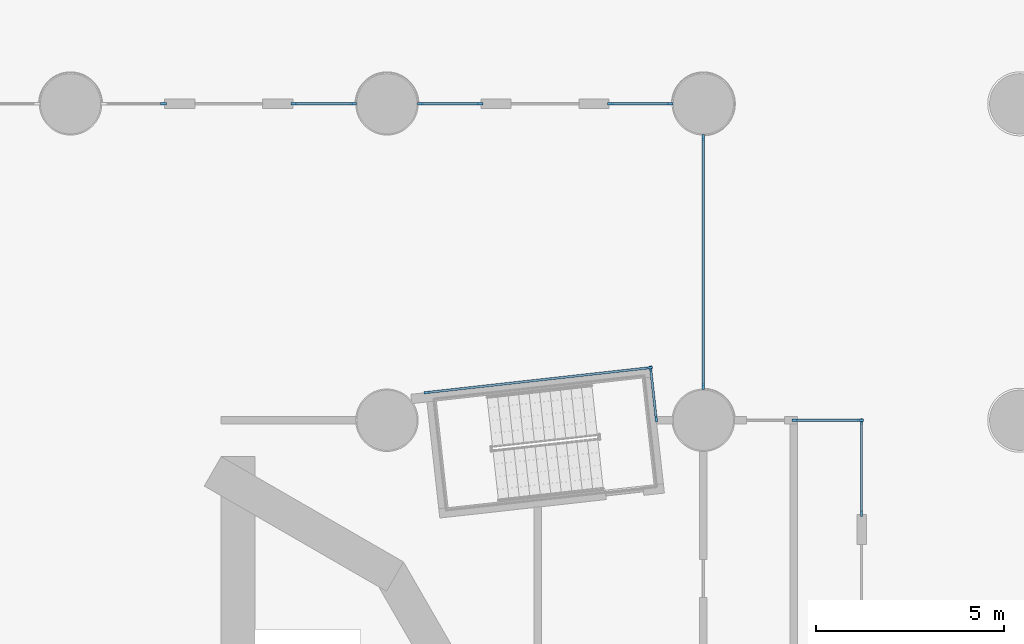
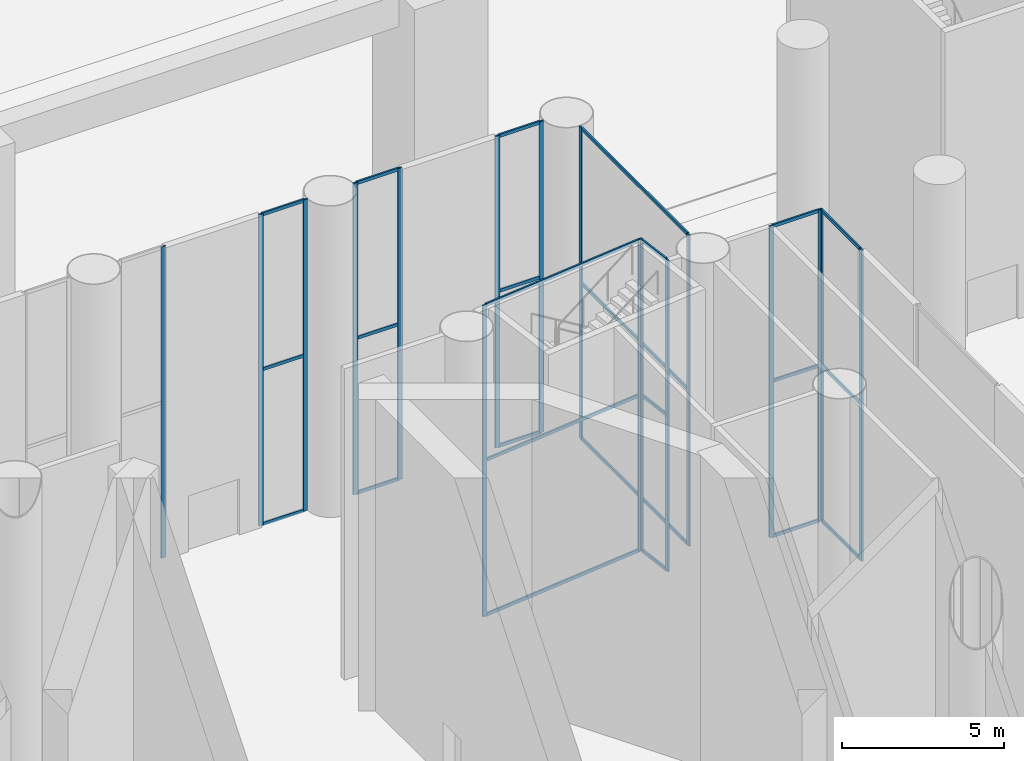
# One storey, part 9 of 52: 41 members, 9 elements without a shape of their own.
"""IFC4 building model written with IfcOpenShell, lengths in metres."""

import ifcopenshell
import ifcopenshell.guid

model = None  # the IFC model being written
_history = None  # IfcOwnerHistory: only IFC2X3 demands one
_inside = {}  # id of a spatial element -> (the spatial element, [elements in it])
_under = {}  # id of a project, library or spatial element -> (it, [spatial elements below it])
_declared = {}  # id of a project -> (the project, [libraries it declares])
_typed = {}  # id of a type object -> (the type object, [elements of that type])
_made_of = {}  # id of a material, layer set ... -> (it, [elements and type objects made of it])


def new_model(schema):
    """Start an empty IFC model of exactly this schema.

    Asked for "IFC4X3", IfcOpenShell would pick the latest addendum, in which some entities
    have other attributes; the version numbers below select the first issue.
    IFC2X3 requires an IfcOwnerHistory on every rooted entity: one is made here for all.
    """
    global model, _history
    if schema == "IFC4X3":
        model = ifcopenshell.file(schema_version=(4, 3, 0, 0))
    else:
        model = ifcopenshell.file(schema=schema)
    _inside.clear()
    _under.clear()
    _declared.clear()
    _typed.clear()
    _made_of.clear()
    _history = None
    if model.schema == "IFC2X3":
        org = make("IfcOrganization", Name="unknown")
        user = make(
            "IfcPersonAndOrganization",
            ThePerson=make("IfcPerson", FamilyName="unknown"),
            TheOrganization=org,
        )
        app = make(
            "IfcApplication",
            ApplicationDeveloper=org,
            Version="unknown",
            ApplicationFullName="unknown",
            ApplicationIdentifier="unknown",
        )
        _history = make(
            "IfcOwnerHistory",
            OwningUser=user,
            OwningApplication=app,
            ChangeAction="ADDED",
            CreationDate=0,
        )
    return model


def make(cls, **values):
    """One entity of the class cls with the attributes given. An attribute that is None is left unset."""
    return model.create_entity(
        cls, **{name: value for name, value in values.items() if value is not None}
    )


def rooted(cls, **values):
    """An entity with a GlobalId (a new one), such as an element, a storey or a relation."""
    return make(cls, GlobalId=ifcopenshell.guid.new(), OwnerHistory=_history, **values)


def si_unit(unit_type, name, prefix=None):
    """IfcSIUnit, for example si_unit("LENGTHUNIT", "METRE", prefix="MILLI")."""
    return make("IfcSIUnit", UnitType=unit_type, Prefix=prefix, Name=name)


def assignment(units):
    """IfcUnitAssignment: the units of a project."""
    return None if units is None else make("IfcUnitAssignment", Units=units)


def point(xyz):
    """IfcCartesianPoint."""
    return None if xyz is None else make("IfcCartesianPoint", Coordinates=xyz)


def direction(xyz):
    """IfcDirection."""
    return None if xyz is None else make("IfcDirection", DirectionRatios=xyz)


def frame(location, z_axis=None, x_axis=None):
    """IfcAxis2Placement3D, a coordinate frame: its origin and axes. An axis left out is left unset."""
    return make(
        "IfcAxis2Placement3D",
        Location=point(location),
        Axis=direction(z_axis),
        RefDirection=direction(x_axis),
    )


def frame_2d(location, x_axis=None):
    """IfcAxis2Placement2D, a coordinate frame in the plane: its origin and x axis."""
    return make(
        "IfcAxis2Placement2D", Location=point(location), RefDirection=direction(x_axis)
    )


def origin():
    """The frame at (0, 0, 0) with its axes left unset."""
    return frame((0.0, 0.0, 0.0))


def origin_2d():
    """The frame at (0, 0) in the plane with its x axis left unset."""
    return frame_2d((0.0, 0.0))


def place(relative_to, where):
    """IfcLocalPlacement: puts the frame where relative to a parent placement (None: the world)."""
    return make(
        "IfcLocalPlacement", PlacementRelTo=relative_to, RelativePlacement=where
    )


def context(
    kind, dimensions, precision=None, world=None, true_north=None, identifier=None
):
    """IfcGeometricRepresentationContext, for example the 3D "Model" context."""
    return make(
        "IfcGeometricRepresentationContext",
        ContextIdentifier=identifier,
        ContextType=kind,
        CoordinateSpaceDimension=dimensions,
        Precision=precision,
        WorldCoordinateSystem=world,
        TrueNorth=true_north,
    )


def subcontext(parent, identifier, kind, view, scale=None):
    """IfcGeometricRepresentationSubContext, for example "Body" below "Model"."""
    return make(
        "IfcGeometricRepresentationSubContext",
        ContextIdentifier=identifier,
        ContextType=kind,
        ParentContext=parent,
        TargetScale=scale,
        TargetView=view,
    )


def project(units=None, contexts=None):
    """IfcProject with its units and contexts."""
    return rooted(
        "IfcProject",
        Name="project",
        RepresentationContexts=contexts,
        UnitsInContext=assignment(units),
    )


def spatial(cls, under=None, at=None, **own):
    """A site, building, storey or space (cls), placed at a placement, below another one or the project."""
    s = rooted(cls, ObjectPlacement=at, **own)
    if under is not None:
        _under.setdefault(under.id(), (under, []))[1].append(s)
    return s


def profile(cls, at=None, kind="AREA", **sizes):
    """A parametric profile (cls). Its sizes go by their IFC names, for example OverallWidth=200.0."""
    return make(cls, ProfileType=kind, Position=at, **sizes)


def rectangle(**sizes):
    """IfcRectangleProfileDef."""
    return profile("IfcRectangleProfileDef", **sizes)


def extrude(swept, where, along, depth):
    """IfcExtrudedAreaSolid: the profile swept, set in the frame where, extruded along a direction by depth."""
    return make(
        "IfcExtrudedAreaSolid",
        SweptArea=swept,
        Position=where,
        ExtrudedDirection=direction(along),
        Depth=depth,
    )


def shape(context_of_items, identifier, shape_type, items):
    """IfcShapeRepresentation: the items that make up one representation, for example the "Body"."""
    return make(
        "IfcShapeRepresentation",
        ContextOfItems=context_of_items,
        RepresentationIdentifier=identifier,
        RepresentationType=shape_type,
        Items=items,
    )


def material(Name=None, Category=None):
    """IfcMaterial."""
    return make("IfcMaterial", Name=Name, Category=Category)


def material_profile(
    of_material, cross_section, Name=None, Category=None, Priority=None
):
    """IfcMaterialProfile: a cross section and its material."""
    return make(
        "IfcMaterialProfile",
        Name=Name,
        Material=of_material,
        Profile=cross_section,
        Priority=Priority,
        Category=Category,
    )


def profile_set(profiles, Name=None, composite=None):
    """IfcMaterialProfileSet."""
    return make(
        "IfcMaterialProfileSet",
        Name=Name,
        MaterialProfiles=profiles,
        CompositeProfile=composite,
    )


def made_of(thing, what):
    """Note that an element or type object is made of a material, layer set ...; save() writes the relation."""
    if what is not None:
        _made_of.setdefault(what.id(), (what, []))[1].append(thing)
    return thing


def type_object(cls, material=None, **own):
    """A type object (cls), such as IfcWallType, which elements share."""
    return made_of(rooted(cls, **own), material)


def element(
    cls,
    number,
    at=None,
    inside=None,
    cuts=None,
    type_object=None,
    material=None,
    context=None,
    identifier="Body",
    shape_type=None,
    held_by="IfcProductDefinitionShape",
    body=None,
    shapes=None,
    **own,
):
    """One element of the class cls, such as IfcWall. Its Tag is "e" and its number.

    at: its placement. inside: the storey or other place that contains it. cuts: it is an
    opening in that element (IfcRelVoidsElement). A single representation is given by context,
    identifier, shape_type and body (its items); several are given by shapes. held_by: the class
    of the entity that holds the representations. save() writes the other relations.
    """
    e = rooted(cls, Tag="e%d" % number, ObjectPlacement=at, **own)
    if body is not None:
        shapes = [shape(context, identifier, shape_type, body)]
    if shapes is not None:
        e.Representation = make(held_by, Representations=shapes)
    if inside is not None:
        _inside.setdefault(inside.id(), (inside, []))[1].append(e)
    if cuts is not None:
        rooted(
            "IfcRelVoidsElement", RelatingBuildingElement=cuts, RelatedOpeningElement=e
        )
    if type_object is not None:
        _typed.setdefault(type_object.id(), (type_object, []))[1].append(e)
    return made_of(e, material)


def aggregate(whole, parts):
    """IfcRelAggregates: a whole, such as a stair, and the parts it consists of."""
    return rooted("IfcRelAggregates", RelatingObject=whole, RelatedObjects=parts)


def save(model, path):
    """Write the relations noted so far, then the file.

    IfcRelAggregates (storeys below a building ...), IfcRelContainedInSpatialStructure (elements
    in a storey), IfcRelDefinesByType, IfcRelAssociatesMaterial and IfcRelDeclares: one each for
    every whole, place, type object, material and project.
    """
    for whole, parts in _under.values():
        aggregate(whole, parts)
    for where, things in _inside.values():
        rooted(
            "IfcRelContainedInSpatialStructure",
            RelatedElements=things,
            RelatingStructure=where,
        )
    for kind, things in _typed.values():
        rooted("IfcRelDefinesByType", RelatedObjects=things, RelatingType=kind)
    for what, things in _made_of.values():
        rooted("IfcRelAssociatesMaterial", RelatedObjects=things, RelatingMaterial=what)
    for by, libraries in _declared.values():
        rooted("IfcRelDeclares", RelatingContext=by, RelatedDefinitions=libraries)
    model.write(path)


model = new_model("IFC4")

# Units and contexts
model_context = context("Model", 3, precision=1e-05, world=origin(), true_north=direction((0.0, 1.0)))
body_context = subcontext(model_context, "Body", "Model", "MODEL_VIEW")
ifc_project = project(units=[si_unit("LENGTHUNIT", "METRE"), si_unit("AREAUNIT", "SQUARE_METRE"), si_unit("VOLUMEUNIT", "CUBIC_METRE"), si_unit("PLANEANGLEUNIT", "RADIAN"), si_unit("MASSUNIT", "GRAM", prefix="KILO")], contexts=[model_context])

# Site, building, storey
site_placement = place(None, origin())
site = spatial("IfcSite", under=ifc_project, at=site_placement, CompositionType="ELEMENT")
building_placement = place(site_placement, origin())
building = spatial("IfcBuilding", under=site, at=building_placement, Name="Cantera Rosa Tower", CompositionType="ELEMENT")
storey_placement = place(building_placement, origin())
storey = spatial("IfcBuildingStorey", under=building, at=storey_placement, Name="L00", CompositionType="ELEMENT", Elevation=0.0)

# Curtain wall, members
ifc_material_1 = material(Name="Glass", Category="glass")
curtain_wall_type = type_object("IfcCurtainWallType", Name="Pavilion curtain wall", PredefinedType="NOTDEFINED", material=ifc_material_1)
curtain_wall_1_placement = place(storey_placement, origin())
curtain_wall_1 = element("IfcCurtainWall", 1, at=curtain_wall_1_placement, inside=storey, type_object=curtain_wall_type, Name="Pavilion curtain wall CAFE 1", PredefinedType="NOTDEFINED")
ifc_material_2 = material(Name="Aluminium", Category="aluminium")
ifc_material_profile_1 = material_profile(ifc_material_2, rectangle(XDim=0.06005859375, YDim=0.159912109375, at=origin_2d()), Name="Mullion pavilion 60x160")
ifc_profile_set_1 = profile_set([ifc_material_profile_1], Name="Aluminium")
member_type_1 = type_object("IfcMemberType", Name="Mullion pavilion 60x160", PredefinedType="MULLION", material=ifc_profile_set_1)
member_1_placement = place(storey_placement, frame((21.0, 10.1298828125, 0.0), z_axis=(0.0, 0.0, 1.0), x_axis=(-1.0, 0.0, 0.0)))
member_1 = element("IfcMember", 2, at=member_1_placement, type_object=member_type_1, Name="CW6 mullion 1", PredefinedType="MULLION", context=body_context, shape_type="SweptSolid", body=[
    extrude(rectangle(XDim=0.06005859375, YDim=0.159912109375, at=origin_2d()), origin(), (0.0, 0.0, 1.0), 11.699951171875),
])
member_2_placement = place(storey_placement, frame((21.0, 12.570068359375, 0.0), z_axis=(0.0, 0.0, 1.0), x_axis=(-1.0, 0.0, 0.0)))
member_2 = element("IfcMember", 3, at=member_2_placement, type_object=member_type_1, Name="CW6 mullion 2", PredefinedType="MULLION", context=body_context, shape_type="SweptSolid", body=[
    extrude(rectangle(XDim=0.06005859375, YDim=0.159912109375, at=origin_2d()), origin(), (0.0, 0.0, 1.0), 11.699951171875),
])

curtain_wall_2_placement = place(storey_placement, origin())
curtain_wall_2 = element("IfcCurtainWall", 4, at=curtain_wall_2_placement, inside=storey, type_object=curtain_wall_type, Name="Pavilion curtain wall CAFE 2", PredefinedType="NOTDEFINED")
member_3_placement = place(storey_placement, frame((20.969970703125, 12.60009765625, 0.0), z_axis=(0.0, 0.0, 1.0), x_axis=(0.0, -1.0, 0.0)))
member_3 = element("IfcMember", 5, at=member_3_placement, type_object=member_type_1, Name="CW6 mullion 1", PredefinedType="MULLION", context=body_context, shape_type="SweptSolid", body=[
    extrude(rectangle(XDim=0.06005859375, YDim=0.159912109375, at=origin_2d()), origin(), (0.0, 0.0, 1.0), 11.699951171875),
])
member_4_placement = place(storey_placement, frame((19.22998046875, 12.60009765625, 0.0), z_axis=(0.0, 0.0, 1.0), x_axis=(0.0, -1.0, 0.0)))
member_4 = element("IfcMember", 6, at=member_4_placement, type_object=member_type_1, Name="CW6 mullion 2", PredefinedType="MULLION", context=body_context, shape_type="SweptSolid", body=[
    extrude(rectangle(XDim=0.06005859375, YDim=0.159912109375, at=origin_2d()), origin(), (0.0, 0.0, 1.0), 11.699951171875),
])

# Curtain wall, member
curtain_wall_3_placement = place(storey_placement, origin())
curtain_wall_3 = element("IfcCurtainWall", 7, at=curtain_wall_3_placement, inside=storey, type_object=curtain_wall_type, Name="Pavilion curtain wall HOTEL 3", PredefinedType="NOTDEFINED")
member_5_placement = place(storey_placement, frame((2.469970703125, 21.0, 0.0), z_axis=(0.0, 0.0, 1.0), x_axis=(0.0, 1.0, 0.0)))
member_5 = element("IfcMember", 8, at=member_5_placement, type_object=member_type_1, Name="CW6 mullion 2", PredefinedType="MULLION", context=body_context, shape_type="SweptSolid", body=[
    extrude(rectangle(XDim=0.06005859375, YDim=0.159912109375, at=origin_2d()), origin(), (0.0, 0.0, 1.0), 11.699951171875),
])
aggregate(curtain_wall_3, [member_5])

# Curtain wall, members
curtain_wall_4_placement = place(storey_placement, origin())
curtain_wall_4 = element("IfcCurtainWall", 9, at=curtain_wall_4_placement, inside=storey, type_object=curtain_wall_type, Name="Pavilion curtain wall HOTEL 3", PredefinedType="NOTDEFINED")
member_6_placement = place(storey_placement, frame((5.929931640625, 21.0, 0.0), z_axis=(0.0, 0.0, 1.0), x_axis=(0.0, 1.0, 0.0)))
member_6 = element("IfcMember", 10, at=member_6_placement, type_object=member_type_1, Name="CW6 mullion 1", PredefinedType="MULLION", context=body_context, shape_type="SweptSolid", body=[
    extrude(rectangle(XDim=0.06005859375, YDim=0.159912109375, at=origin_2d()), origin(), (0.0, 0.0, 1.0), 11.699951171875),
])
member_7_placement = place(storey_placement, frame((7.510009765625, 21.0, 0.0), z_axis=(0.0, 0.0, 1.0), x_axis=(0.0, 1.0, 0.0)))
member_7 = element("IfcMember", 11, at=member_7_placement, type_object=member_type_1, Name="CW6 mullion 2", PredefinedType="MULLION", context=body_context, shape_type="SweptSolid", body=[
    extrude(rectangle(XDim=0.06005859375, YDim=0.159912109375, at=origin_2d()), origin(), (0.0, 0.0, 1.0), 11.699951171875),
])

curtain_wall_5_placement = place(storey_placement, origin())
curtain_wall_5 = element("IfcCurtainWall", 12, at=curtain_wall_5_placement, inside=storey, type_object=curtain_wall_type, Name="Pavilion curtain wall HOTEL 3", PredefinedType="NOTDEFINED")
member_8_placement = place(storey_placement, frame((9.2900390625, 21.0, 0.0), z_axis=(0.0, 0.0, 1.0), x_axis=(0.0, 1.0, 0.0)))
member_8 = element("IfcMember", 13, at=member_8_placement, type_object=member_type_1, Name="CW6 mullion 1", PredefinedType="MULLION", context=body_context, shape_type="SweptSolid", body=[
    extrude(rectangle(XDim=0.06005859375, YDim=0.159912109375, at=origin_2d()), origin(), (0.0, 0.0, 1.0), 11.699951171875),
])
member_9_placement = place(storey_placement, frame((10.8701171875, 21.0, 0.0), z_axis=(0.0, 0.0, 1.0), x_axis=(0.0, 1.0, 0.0)))
member_9 = element("IfcMember", 14, at=member_9_placement, type_object=member_type_1, Name="CW6 mullion 2", PredefinedType="MULLION", context=body_context, shape_type="SweptSolid", body=[
    extrude(rectangle(XDim=0.06005859375, YDim=0.159912109375, at=origin_2d()), origin(), (0.0, 0.0, 1.0), 11.699951171875),
])

curtain_wall_6_placement = place(storey_placement, origin())
curtain_wall_6 = element("IfcCurtainWall", 15, at=curtain_wall_6_placement, inside=storey, type_object=curtain_wall_type, Name="Pavilion curtain wall HOTEL 3", PredefinedType="NOTDEFINED")
member_10_placement = place(storey_placement, frame((14.330078125, 21.0, 0.0), z_axis=(0.0, 0.0, 1.0), x_axis=(0.0, 1.0, 0.0)))
member_10 = element("IfcMember", 16, at=member_10_placement, type_object=member_type_1, Name="CW6 mullion 1", PredefinedType="MULLION", context=body_context, shape_type="SweptSolid", body=[
    extrude(rectangle(XDim=0.06005859375, YDim=0.159912109375, at=origin_2d()), origin(), (0.0, 0.0, 1.0), 11.699951171875),
])
member_11_placement = place(storey_placement, frame((15.909912109375, 21.0, 0.0), z_axis=(0.0, 0.0, 1.0), x_axis=(0.0, 1.0, 0.0)))
member_11 = element("IfcMember", 17, at=member_11_placement, type_object=member_type_1, Name="CW6 mullion 2", PredefinedType="MULLION", context=body_context, shape_type="SweptSolid", body=[
    extrude(rectangle(XDim=0.06005859375, YDim=0.159912109375, at=origin_2d()), origin(), (0.0, 0.0, 1.0), 11.699951171875),
])

curtain_wall_7_placement = place(storey_placement, origin())
curtain_wall_7 = element("IfcCurtainWall", 18, at=curtain_wall_7_placement, inside=storey, type_object=curtain_wall_type, Name="Pavilion curtain wall HOTEL 4", PredefinedType="NOTDEFINED")
member_12_placement = place(storey_placement, frame((16.800048828125, 20.110107421875, 0.0), z_axis=(0.0, 0.0, 1.0), x_axis=(1.0, 0.0, 0.0)))
member_12 = element("IfcMember", 19, at=member_12_placement, type_object=member_type_1, Name="CW6 mullion 1", PredefinedType="MULLION", context=body_context, shape_type="SweptSolid", body=[
    extrude(rectangle(XDim=0.06005859375, YDim=0.159912109375, at=origin_2d()), origin(), (0.0, 0.0, 1.0), 11.699951171875),
])
member_13_placement = place(storey_placement, frame((16.800048828125, 13.489990234375, 0.0), z_axis=(0.0, 0.0, 1.0), x_axis=(1.0, 0.0, 0.0)))
member_13 = element("IfcMember", 20, at=member_13_placement, type_object=member_type_1, Name="CW6 mullion 2", PredefinedType="MULLION", context=body_context, shape_type="SweptSolid", body=[
    extrude(rectangle(XDim=0.06005859375, YDim=0.159912109375, at=origin_2d()), origin(), (0.0, 0.0, 1.0), 11.699951171875),
])

curtain_wall_8_placement = place(storey_placement, origin())
curtain_wall_8 = element("IfcCurtainWall", 21, at=curtain_wall_8_placement, inside=storey, type_object=curtain_wall_type, Name="Pavilion curtain wall HOTEL 5", PredefinedType="NOTDEFINED")
member_14_placement = place(storey_placement, frame((15.548583984375, 12.6298828125, 0.0), z_axis=(0.0, 0.0, 1.0), x_axis=(-0.993896755156, -0.110314278719, 0.0)))
member_14 = element("IfcMember", 22, at=member_14_placement, type_object=member_type_1, Name="CW6 mullion 1", PredefinedType="MULLION", context=body_context, shape_type="SweptSolid", body=[
    extrude(rectangle(XDim=0.06005859375, YDim=0.159912109375, at=origin_2d()), origin(), (0.0, 0.0, 1.0), 11.699951171875),
])
member_15_placement = place(storey_placement, frame((15.400146484375, 13.9658203125, 0.0), z_axis=(0.0, 0.0, 1.0), x_axis=(-0.993896755156, -0.110314278719, 0.0)))
member_15 = element("IfcMember", 23, at=member_15_placement, type_object=member_type_1, Name="CW6 mullion 2", PredefinedType="MULLION", context=body_context, shape_type="SweptSolid", body=[
    extrude(rectangle(XDim=0.06005859375, YDim=0.159912109375, at=origin_2d()), origin(), (0.0, 0.0, 1.0), 11.699951171875),
])

curtain_wall_9_placement = place(storey_placement, origin())
curtain_wall_9 = element("IfcCurtainWall", 24, at=curtain_wall_9_placement, inside=storey, type_object=curtain_wall_type, Name="Pavilion curtain wall HOTEL 6", PredefinedType="NOTDEFINED")
member_16_placement = place(storey_placement, frame((15.3671875, 13.992431640625, 0.0), z_axis=(0.0, 0.0, 1.0), x_axis=(0.110316281838, -0.993896532825, 0.0)))
member_16 = element("IfcMember", 25, at=member_16_placement, type_object=member_type_1, Name="CW6 mullion 1", PredefinedType="MULLION", context=body_context, shape_type="SweptSolid", body=[
    extrude(rectangle(XDim=0.06005859375, YDim=0.159912109375, at=origin_2d()), origin(), (0.0, 0.0, 1.0), 11.699951171875),
])
member_17_placement = place(storey_placement, frame((9.46337890625, 13.337158203125, 0.0), z_axis=(0.0, 0.0, 1.0), x_axis=(0.110316281838, -0.993896532825, 0.0)))
member_17 = element("IfcMember", 26, at=member_17_placement, type_object=member_type_1, Name="CW6 mullion 2", PredefinedType="MULLION", context=body_context, shape_type="SweptSolid", body=[
    extrude(rectangle(XDim=0.06005859375, YDim=0.159912109375, at=origin_2d()), origin(), (0.0, 0.0, 1.0), 11.699951171875),
])

# Member
ifc_material_3 = material(Name="Aluminium", Category="aluminium")
ifc_material_profile_2 = material_profile(ifc_material_3, rectangle(XDim=0.06005859375, YDim=0.1201171875, at=origin_2d()), Name="Transom pavilion 60x120")
ifc_profile_set_2 = profile_set([ifc_material_profile_2], Name="Aluminium")
member_type_2 = type_object("IfcMemberType", Name="Transom pavilion 60x120", PredefinedType="USERDEFINED", material=ifc_profile_set_2)
member_18_placement = place(storey_placement, frame((21.0, 10.159912109375, 0.030029296875), z_axis=(0.0, 1.0, 0.0), x_axis=(-1.0, 0.0, 0.0)))
member_18 = element("IfcMember", 27, at=member_18_placement, type_object=member_type_2, Name="CW6 transom 1.1", ObjectType="TRANSOM", PredefinedType="USERDEFINED", context=body_context, shape_type="SweptSolid", body=[
    extrude(rectangle(XDim=0.06005859375, YDim=0.1201171875, at=origin_2d()), origin(), (0.0, 0.0, 1.0), 2.380126953125),
])

member_19_placement = place(storey_placement, frame((21.0, 10.159912109375, 5.85009765625), z_axis=(0.0, 1.0, 0.0), x_axis=(-1.0, 0.0, 0.0)))
member_19 = element("IfcMember", 28, at=member_19_placement, type_object=member_type_2, Name="CW6 transom 1.2", ObjectType="TRANSOM", PredefinedType="USERDEFINED", context=body_context, shape_type="SweptSolid", body=[
    extrude(rectangle(XDim=0.06005859375, YDim=0.1201171875, at=origin_2d()), origin(), (0.0, 0.0, 1.0), 2.380126953125),
])

member_20_placement = place(storey_placement, frame((21.0, 10.159912109375, 11.669921875), z_axis=(0.0, 1.0, 0.0), x_axis=(-1.0, 0.0, 0.0)))
member_20 = element("IfcMember", 29, at=member_20_placement, type_object=member_type_2, Name="CW6 transom 1.3", ObjectType="TRANSOM", PredefinedType="USERDEFINED", context=body_context, shape_type="SweptSolid", body=[
    extrude(rectangle(XDim=0.06005859375, YDim=0.1201171875, at=origin_2d()), origin(), (0.0, 0.0, 1.0), 2.380126953125),
])

aggregate(curtain_wall_1, [member_1, member_2, member_18, member_19, member_20])

member_21_placement = place(storey_placement, frame((20.93994140625, 12.60009765625, 0.030029296875), z_axis=(-1.0, 0.0, 0.0), x_axis=(0.0, -1.0, 0.0)))
member_21 = element("IfcMember", 30, at=member_21_placement, type_object=member_type_2, Name="CW6 transom 1.1", ObjectType="TRANSOM", PredefinedType="USERDEFINED", context=body_context, shape_type="SweptSolid", body=[
    extrude(rectangle(XDim=0.06005859375, YDim=0.1201171875, at=origin_2d()), origin(), (0.0, 0.0, 1.0), 1.679931640625),
])

member_22_placement = place(storey_placement, frame((20.93994140625, 12.60009765625, 5.85009765625), z_axis=(-1.0, 0.0, 0.0), x_axis=(0.0, -1.0, 0.0)))
member_22 = element("IfcMember", 31, at=member_22_placement, type_object=member_type_2, Name="CW6 transom 1.2", ObjectType="TRANSOM", PredefinedType="USERDEFINED", context=body_context, shape_type="SweptSolid", body=[
    extrude(rectangle(XDim=0.06005859375, YDim=0.1201171875, at=origin_2d()), origin(), (0.0, 0.0, 1.0), 1.679931640625),
])

member_23_placement = place(storey_placement, frame((20.93994140625, 12.60009765625, 11.669921875), z_axis=(-1.0, 0.0, 0.0), x_axis=(0.0, -1.0, 0.0)))
member_23 = element("IfcMember", 32, at=member_23_placement, type_object=member_type_2, Name="CW6 transom 1.3", ObjectType="TRANSOM", PredefinedType="USERDEFINED", context=body_context, shape_type="SweptSolid", body=[
    extrude(rectangle(XDim=0.06005859375, YDim=0.1201171875, at=origin_2d()), origin(), (0.0, 0.0, 1.0), 1.679931640625),
])

aggregate(curtain_wall_2, [member_3, member_4, member_21, member_22, member_23])

member_24_placement = place(storey_placement, frame((5.9599609375, 21.0, 0.030029296875), z_axis=(1.0, 0.0, 0.0), x_axis=(0.0, 1.0, 0.0)))
member_24 = element("IfcMember", 33, at=member_24_placement, type_object=member_type_2, Name="CW6 transom 1.1", ObjectType="TRANSOM", PredefinedType="USERDEFINED", context=body_context, shape_type="SweptSolid", body=[
    extrude(rectangle(XDim=0.06005859375, YDim=0.1201171875, at=origin_2d()), origin(), (0.0, 0.0, 1.0), 1.52001953125),
])

member_25_placement = place(storey_placement, frame((5.9599609375, 21.0, 5.85009765625), z_axis=(1.0, 0.0, 0.0), x_axis=(0.0, 1.0, 0.0)))
member_25 = element("IfcMember", 34, at=member_25_placement, type_object=member_type_2, Name="CW6 transom 1.2", ObjectType="TRANSOM", PredefinedType="USERDEFINED", context=body_context, shape_type="SweptSolid", body=[
    extrude(rectangle(XDim=0.06005859375, YDim=0.1201171875, at=origin_2d()), origin(), (0.0, 0.0, 1.0), 1.52001953125),
])

member_26_placement = place(storey_placement, frame((5.9599609375, 21.0, 11.669921875), z_axis=(1.0, 0.0, 0.0), x_axis=(0.0, 1.0, 0.0)))
member_26 = element("IfcMember", 35, at=member_26_placement, type_object=member_type_2, Name="CW6 transom 1.3", ObjectType="TRANSOM", PredefinedType="USERDEFINED", context=body_context, shape_type="SweptSolid", body=[
    extrude(rectangle(XDim=0.06005859375, YDim=0.1201171875, at=origin_2d()), origin(), (0.0, 0.0, 1.0), 1.52001953125),
])

aggregate(curtain_wall_4, [member_6, member_7, member_24, member_25, member_26])

member_27_placement = place(storey_placement, frame((9.320068359375, 21.0, 0.030029296875), z_axis=(1.0, 0.0, 0.0), x_axis=(0.0, 1.0, 0.0)))
member_27 = element("IfcMember", 36, at=member_27_placement, type_object=member_type_2, Name="CW6 transom 1.1", ObjectType="TRANSOM", PredefinedType="USERDEFINED", context=body_context, shape_type="SweptSolid", body=[
    extrude(rectangle(XDim=0.06005859375, YDim=0.1201171875, at=origin_2d()), origin(), (0.0, 0.0, 1.0), 1.52001953125),
])

member_28_placement = place(storey_placement, frame((9.320068359375, 21.0, 5.85009765625), z_axis=(1.0, 0.0, 0.0), x_axis=(0.0, 1.0, 0.0)))
member_28 = element("IfcMember", 37, at=member_28_placement, type_object=member_type_2, Name="CW6 transom 1.2", ObjectType="TRANSOM", PredefinedType="USERDEFINED", context=body_context, shape_type="SweptSolid", body=[
    extrude(rectangle(XDim=0.06005859375, YDim=0.1201171875, at=origin_2d()), origin(), (0.0, 0.0, 1.0), 1.52001953125),
])

member_29_placement = place(storey_placement, frame((9.320068359375, 21.0, 11.669921875), z_axis=(1.0, 0.0, 0.0), x_axis=(0.0, 1.0, 0.0)))
member_29 = element("IfcMember", 38, at=member_29_placement, type_object=member_type_2, Name="CW6 transom 1.3", ObjectType="TRANSOM", PredefinedType="USERDEFINED", context=body_context, shape_type="SweptSolid", body=[
    extrude(rectangle(XDim=0.06005859375, YDim=0.1201171875, at=origin_2d()), origin(), (0.0, 0.0, 1.0), 1.52001953125),
])

aggregate(curtain_wall_5, [member_8, member_9, member_27, member_28, member_29])

member_30_placement = place(storey_placement, frame((14.360107421875, 21.0, 0.030029296875), z_axis=(1.0, 0.0, 0.0), x_axis=(0.0, 1.0, 0.0)))
member_30 = element("IfcMember", 39, at=member_30_placement, type_object=member_type_2, Name="CW6 transom 1.1", ObjectType="TRANSOM", PredefinedType="USERDEFINED", context=body_context, shape_type="SweptSolid", body=[
    extrude(rectangle(XDim=0.06005859375, YDim=0.1201171875, at=origin_2d()), origin(), (0.0, 0.0, 1.0), 1.519775390625),
])

member_31_placement = place(storey_placement, frame((14.360107421875, 21.0, 5.85009765625), z_axis=(1.0, 0.0, 0.0), x_axis=(0.0, 1.0, 0.0)))
member_31 = element("IfcMember", 40, at=member_31_placement, type_object=member_type_2, Name="CW6 transom 1.2", ObjectType="TRANSOM", PredefinedType="USERDEFINED", context=body_context, shape_type="SweptSolid", body=[
    extrude(rectangle(XDim=0.06005859375, YDim=0.1201171875, at=origin_2d()), origin(), (0.0, 0.0, 1.0), 1.519775390625),
])

member_32_placement = place(storey_placement, frame((14.360107421875, 21.0, 11.669921875), z_axis=(1.0, 0.0, 0.0), x_axis=(0.0, 1.0, 0.0)))
member_32 = element("IfcMember", 41, at=member_32_placement, type_object=member_type_2, Name="CW6 transom 1.3", ObjectType="TRANSOM", PredefinedType="USERDEFINED", context=body_context, shape_type="SweptSolid", body=[
    extrude(rectangle(XDim=0.06005859375, YDim=0.1201171875, at=origin_2d()), origin(), (0.0, 0.0, 1.0), 1.519775390625),
])

aggregate(curtain_wall_6, [member_10, member_11, member_30, member_31, member_32])

member_33_placement = place(storey_placement, frame((16.800048828125, 20.080078125, 0.030029296875), z_axis=(0.0, -1.0, 0.0), x_axis=(1.0, 0.0, 0.0)))
member_33 = element("IfcMember", 42, at=member_33_placement, type_object=member_type_2, Name="CW6 transom 1.1", ObjectType="TRANSOM", PredefinedType="USERDEFINED", context=body_context, shape_type="SweptSolid", body=[
    extrude(rectangle(XDim=0.06005859375, YDim=0.1201171875, at=origin_2d()), origin(), (0.0, 0.0, 1.0), 6.56005859375),
])

member_34_placement = place(storey_placement, frame((16.800048828125, 20.080078125, 5.85009765625), z_axis=(0.0, -1.0, 0.0), x_axis=(1.0, 0.0, 0.0)))
member_34 = element("IfcMember", 43, at=member_34_placement, type_object=member_type_2, Name="CW6 transom 1.2", ObjectType="TRANSOM", PredefinedType="USERDEFINED", context=body_context, shape_type="SweptSolid", body=[
    extrude(rectangle(XDim=0.06005859375, YDim=0.1201171875, at=origin_2d()), origin(), (0.0, 0.0, 1.0), 6.56005859375),
])

member_35_placement = place(storey_placement, frame((16.800048828125, 20.080078125, 11.669921875), z_axis=(0.0, -1.0, 0.0), x_axis=(1.0, 0.0, 0.0)))
member_35 = element("IfcMember", 44, at=member_35_placement, type_object=member_type_2, Name="CW6 transom 1.3", ObjectType="TRANSOM", PredefinedType="USERDEFINED", context=body_context, shape_type="SweptSolid", body=[
    extrude(rectangle(XDim=0.06005859375, YDim=0.1201171875, at=origin_2d()), origin(), (0.0, 0.0, 1.0), 6.56005859375),
])

aggregate(curtain_wall_7, [member_12, member_13, member_33, member_34, member_35])

member_36_placement = place(storey_placement, frame((15.545166015625, 12.65966796875, 0.030029296875), z_axis=(-0.110264597456, 0.993902268107, 0.0), x_axis=(-0.993902268107, -0.110264597456, 0.0)))
member_36 = element("IfcMember", 45, at=member_36_placement, type_object=member_type_2, Name="CW6 transom 1.1", ObjectType="TRANSOM", PredefinedType="USERDEFINED", context=body_context, shape_type="SweptSolid", body=[
    extrude(rectangle(XDim=0.06005859375, YDim=0.1201171875, at=origin_2d()), origin(), (0.0, 0.0, 1.0), 1.2841796875),
])

member_37_placement = place(storey_placement, frame((15.545166015625, 12.65966796875, 5.85009765625), z_axis=(-0.110264597456, 0.993902268107, 0.0), x_axis=(-0.993902268107, -0.110264597456, 0.0)))
member_37 = element("IfcMember", 46, at=member_37_placement, type_object=member_type_2, Name="CW6 transom 1.2", ObjectType="TRANSOM", PredefinedType="USERDEFINED", context=body_context, shape_type="SweptSolid", body=[
    extrude(rectangle(XDim=0.06005859375, YDim=0.1201171875, at=origin_2d()), origin(), (0.0, 0.0, 1.0), 1.2841796875),
])

member_38_placement = place(storey_placement, frame((15.545166015625, 12.65966796875, 11.669921875), z_axis=(-0.110264597456, 0.993902268107, 0.0), x_axis=(-0.993902268107, -0.110264597456, 0.0)))
member_38 = element("IfcMember", 47, at=member_38_placement, type_object=member_type_2, Name="CW6 transom 1.3", ObjectType="TRANSOM", PredefinedType="USERDEFINED", context=body_context, shape_type="SweptSolid", body=[
    extrude(rectangle(XDim=0.06005859375, YDim=0.1201171875, at=origin_2d()), origin(), (0.0, 0.0, 1.0), 1.2841796875),
])

aggregate(curtain_wall_8, [member_14, member_15, member_36, member_37, member_38])

member_39_placement = place(storey_placement, frame((15.337158203125, 13.989013671875, 0.030029296875), z_axis=(-0.993895881238, -0.110322152168, 0.0), x_axis=(0.110322152168, -0.993895881238, 0.0)))
member_39 = element("IfcMember", 48, at=member_39_placement, type_object=member_type_2, Name="CW6 transom 1.1", ObjectType="TRANSOM", PredefinedType="USERDEFINED", context=body_context, shape_type="SweptSolid", body=[
    extrude(rectangle(XDim=0.06005859375, YDim=0.1201171875, at=origin_2d()), origin(), (0.0, 0.0, 1.0), 5.8798828125),
])

member_40_placement = place(storey_placement, frame((15.337158203125, 13.989013671875, 5.85009765625), z_axis=(-0.993895881238, -0.110322152168, 0.0), x_axis=(0.110322152168, -0.993895881238, 0.0)))
member_40 = element("IfcMember", 49, at=member_40_placement, type_object=member_type_2, Name="CW6 transom 1.2", ObjectType="TRANSOM", PredefinedType="USERDEFINED", context=body_context, shape_type="SweptSolid", body=[
    extrude(rectangle(XDim=0.06005859375, YDim=0.1201171875, at=origin_2d()), origin(), (0.0, 0.0, 1.0), 5.8798828125),
])

member_41_placement = place(storey_placement, frame((15.337158203125, 13.989013671875, 11.669921875), z_axis=(-0.993895881238, -0.110322152168, 0.0), x_axis=(0.110322152168, -0.993895881238, 0.0)))
member_41 = element("IfcMember", 50, at=member_41_placement, type_object=member_type_2, Name="CW6 transom 1.3", ObjectType="TRANSOM", PredefinedType="USERDEFINED", context=body_context, shape_type="SweptSolid", body=[
    extrude(rectangle(XDim=0.06005859375, YDim=0.1201171875, at=origin_2d()), origin(), (0.0, 0.0, 1.0), 5.8798828125),
])

aggregate(curtain_wall_9, [member_16, member_17, member_39, member_40, member_41])

save(model, "model.ifc")
